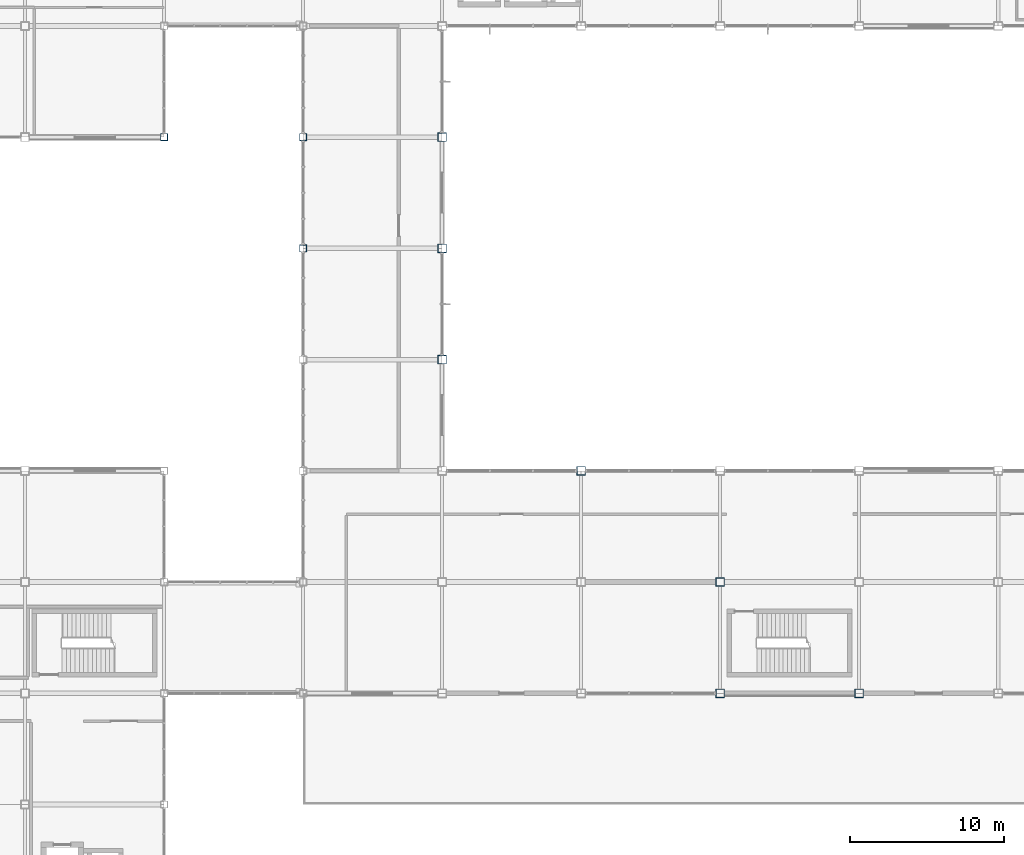
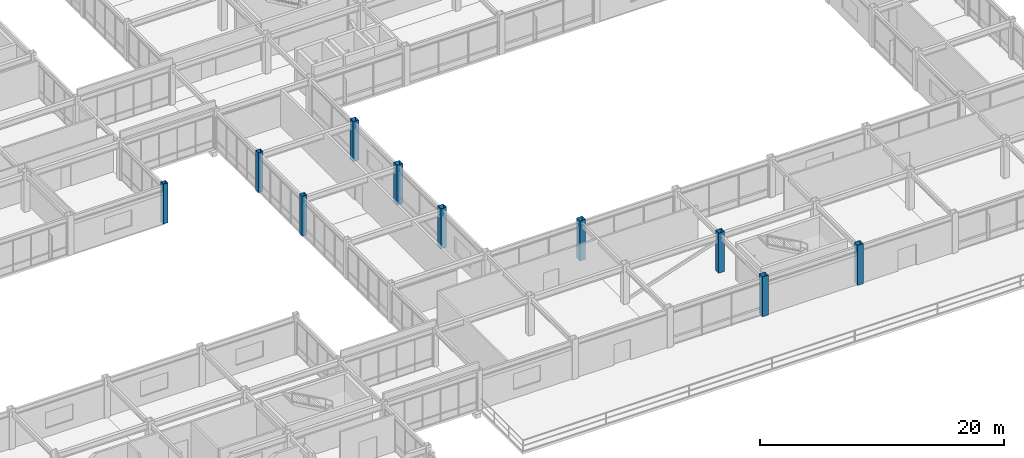
# One storey, part 4 of 122: 10 columns.
"""IFC4 building model written with IfcOpenShell, lengths in metres."""

from ifc_helpers import new_model, si_unit, direction, frame, origin, origin_2d, place, context, subcontext, project, spatial, hollow_rectangle, extrude, material, material_profile, profile_set, type_object, element, save


model = new_model("IFC4")

# Units and contexts
model_context = context("Model", 3, precision=1e-05, world=origin(), true_north=direction((0.0, 1.0)))
body_context = subcontext(model_context, "Body", "Model", "MODEL_VIEW")
ifc_project = project(units=[si_unit("LENGTHUNIT", "METRE"), si_unit("AREAUNIT", "SQUARE_METRE"), si_unit("VOLUMEUNIT", "CUBIC_METRE"), si_unit("PLANEANGLEUNIT", "RADIAN"), si_unit("MASSUNIT", "GRAM", prefix="KILO")], contexts=[model_context])

# Site, building, storey
site_placement = place(None, origin())
site = spatial("IfcSite", under=ifc_project, at=site_placement, CompositionType="ELEMENT")
building_placement = place(site_placement, origin())
building = spatial("IfcBuilding", under=site, at=building_placement, Name="Kazanami Central Library", CompositionType="ELEMENT")
storey_placement = place(building_placement, frame((0.0, 0.0, 4.800048828125)))
storey = spatial("IfcBuildingStorey", under=building, at=storey_placement, Name="L02", CompositionType="ELEMENT", Elevation=4.800048828125)

# Columns
ifc_material = material(Name="Steel BCP325 (325 MPa)", Category="steel")
ifc_material_profile_1 = material_profile(ifc_material, hollow_rectangle(XDim=0.449951171875, YDim=0.449951171875, WallThickness=0.01904296875, at=origin_2d()), Name="BCP-450x450x19")
ifc_profile_set_1 = profile_set([ifc_material_profile_1], Name="Steel BCP325 (325 MPa)")
column_type_1 = type_object("IfcColumnType", Name="COL-C-P2E", PredefinedType="COLUMN", material=ifc_profile_set_1)
for number, where, z_axis, x_axis, name in (
    (1, (36.0, 57.60009765625, 0.0), (0.0, 0.0, 1.0), (1.0, 0.0, 0.0), "Column C-P2E L02 5/J"),
    (2, (45.0, 50.39990234375, 0.0), (0.0, 0.0, 1.0), (1.0, 0.0, 0.0), "Column C-P2E L02 6/H"),
    (3, (45.0, 57.60009765625, 0.0), (0.0, 0.0, 1.0), (1.0, 0.0, 0.0), "Column C-P2E L02 6/J"),
):
    element("IfcColumn", number, at=place(storey_placement, frame(where, z_axis=z_axis, x_axis=x_axis)), inside=storey, type_object=column_type_1, Name=name, PredefinedType="COLUMN", context=body_context, shape_type="SweptSolid", body=[
        extrude(hollow_rectangle(XDim=0.449951171875, YDim=0.449951171875, WallThickness=0.01904296875, at=origin_2d()), origin(), (0.0, 0.0, 1.0), 4.0),
    ])
ifc_material_profile_2 = material_profile(ifc_material, hollow_rectangle(XDim=0.550048828125, YDim=0.550048828125, WallThickness=0.02197265625, at=origin_2d()), Name="BCP-550x550x22")
ifc_profile_set_2 = profile_set([ifc_material_profile_2], Name="Steel BCP325 (325 MPa)")
column_type_2 = type_object("IfcColumnType", Name="COL-C-P2I", PredefinedType="COLUMN", material=ifc_profile_set_2)
for number, where, z_axis, x_axis, name in (
    (4, (54.0, 43.199951171875, 0.0), (0.0, 0.0, 1.0), (1.0, 0.0, 0.0), "Column C-P2I L02 7/G"),
    (5, (54.0, 50.39990234375, 0.0), (0.0, 0.0, 1.0), (1.0, 0.0, 0.0), "Column C-P2I L02 7/H"),
    (6, (54.0, 57.60009765625, 0.0), (0.0, 0.0, 1.0), (1.0, 0.0, 0.0), "Column C-P2I L02 7/J"),
    (7, (63.0, 36.0, 0.0), (0.0, 0.0, 1.0), (1.0, 0.0, 0.0), "Column C-P2I L02 8/F"),
    (8, (72.0, 21.60009765625, 0.0), (0.0, 0.0, 1.0), (1.0, 0.0, 0.0), "Column C-P2I L02 9/D"),
    (9, (72.0, 28.800048828125, 0.0), (0.0, 0.0, 1.0), (1.0, 0.0, 0.0), "Column C-P2I L02 9/E"),
    (10, (81.0, 21.60009765625, 0.0), (0.0, 0.0, 1.0), (1.0, 0.0, 0.0), "Column C-P2I L02 10/D"),
):
    element("IfcColumn", number, at=place(storey_placement, frame(where, z_axis=z_axis, x_axis=x_axis)), inside=storey, type_object=column_type_2, Name=name, PredefinedType="COLUMN", context=body_context, shape_type="SweptSolid", body=[
        extrude(hollow_rectangle(XDim=0.550048828125, YDim=0.550048828125, WallThickness=0.02197265625, at=origin_2d()), origin(), (0.0, 0.0, 1.0), 4.0),
    ])

save(model, "model.ifc")
